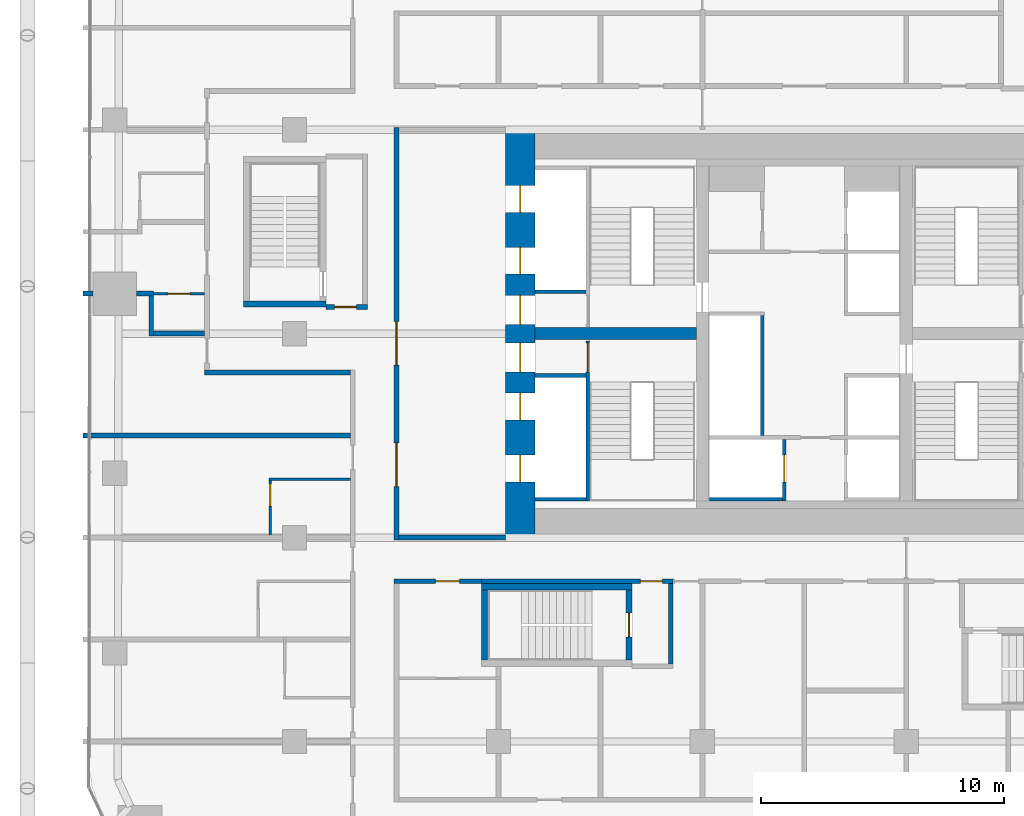
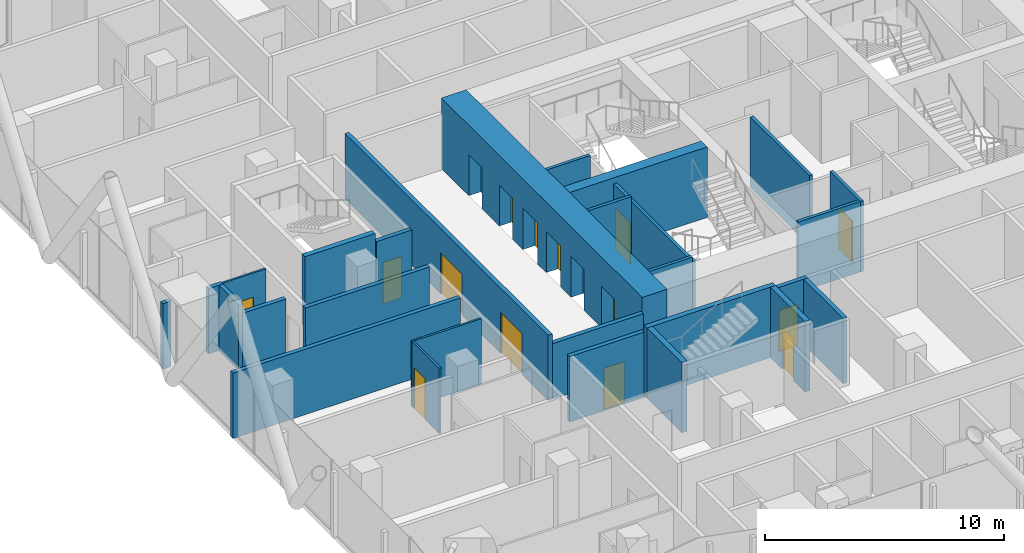
# One storey, part 25 of 35: 28 walls, 16 doors, 16 openings.
"""IFC4 building model written with IfcOpenShell, lengths in metres."""

from ifc_helpers import new_model, si_unit, direction, frame, frame_2d, origin, place, context, subcontext, project, spatial, rectangle, extrude, material, layer, layer_set, type_object, element, fill, save


model = new_model("IFC4")

# Units and contexts
model_context = context("Model", 3, precision=1e-05, world=origin(), true_north=direction((0.0, 1.0)))
body_context = subcontext(model_context, "Body", "Model", "MODEL_VIEW")
ifc_project = project(units=[si_unit("LENGTHUNIT", "METRE"), si_unit("AREAUNIT", "SQUARE_METRE"), si_unit("VOLUMEUNIT", "CUBIC_METRE"), si_unit("PLANEANGLEUNIT", "RADIAN"), si_unit("MASSUNIT", "GRAM", prefix="KILO")], contexts=[model_context])

# Site, building, storey
site_placement = place(None, origin())
site = spatial("IfcSite", under=ifc_project, at=site_placement, CompositionType="ELEMENT")
building_placement = place(site_placement, origin())
building = spatial("IfcBuilding", under=site, at=building_placement, Name="Marenta Gate Hotel Tower", CompositionType="ELEMENT")
storey_placement = place(building_placement, frame((0.0, 0.0, 61.699951171875)))
storey = spatial("IfcBuildingStorey", under=building, at=storey_placement, Name="L13", CompositionType="ELEMENT", Elevation=61.699951171875)

# Wall, openings, doors
ifc_material_1 = material(Name="Concrete blockwork", Category="masonry")
ifc_layer_1 = layer(ifc_material_1, 0.199951171875)
ifc_layer_set_1 = layer_set([ifc_layer_1], Name="Concrete blockwork")
wall_type_1 = type_object("IfcWallType", Name="Core boundary wall 200 REI 180", PredefinedType="PARTITIONING", material=ifc_layer_set_1)
wall_1_placement = place(storey_placement, frame((-16.800048828125, -0.10009765625, 0.0), z_axis=(0.0, 0.0, 1.0), x_axis=(0.0, 1.0, 0.0)))
wall_1 = element("IfcWall", 1, at=wall_1_placement, inside=storey, type_object=wall_type_1, Name="L13-CP-BW-W", PredefinedType="PARTITIONING", context=body_context, shape_type="SweptSolid", body=[
    extrude(rectangle(XDim=17.0, YDim=0.199951171875, at=frame_2d((8.5, 0.0))), origin(), (0.0, 0.0, 1.0), 3.340087890625),
])
opening_1_placement = place(wall_1_placement, frame((2.199951171875, 0.0, 0.0)))
opening_1 = element("IfcOpeningElement", 2, at=opening_1_placement, cuts=wall_1, Name="Opening ED-Wa-B", PredefinedType="OPENING", context=body_context, shape_type="SweptSolid", body=[
    extrude(rectangle(XDim=1.800048828125, YDim=2.10009765625, at=frame_2d((0.89990234375, 1.050048828125))), frame((0.0, 0.10009765625, 0.0), z_axis=(0.0, -1.0, 0.0), x_axis=(1.0, 0.0, 0.0)), (0.0, 0.0, 1.0), 0.199951171875),
])
opening_2_placement = place(wall_1_placement, frame((7.199951171875, 0.0, 0.0)))
opening_2 = element("IfcOpeningElement", 3, at=opening_2_placement, cuts=wall_1, Name="Opening ED-Wb-B", PredefinedType="OPENING", context=body_context, shape_type="SweptSolid", body=[
    extrude(rectangle(XDim=1.800048828125, YDim=2.10009765625, at=frame_2d((0.89990234375, 1.050048828125))), frame((0.0, 0.10009765625, 0.0), z_axis=(0.0, -1.0, 0.0), x_axis=(1.0, 0.0, 0.0)), (0.0, 0.0, 1.0), 0.199951171875),
])
ifc_material_2 = material(Name="Steel", Category="steel")
door_type_1 = type_object("IfcDoorType", Name="Core lobby entrance door 1800x2100 EI 60", OperationType="DOUBLE_DOOR_SINGLE_SWING", PredefinedType="DOOR", material=ifc_material_2)
door_1_placement = place(opening_1_placement, origin())
door_1 = element("IfcDoor", 4, at=door_1_placement, inside=storey, type_object=door_type_1, Name="ED-Wa-B", OperationType="DOUBLE_DOOR_SINGLE_SWING", OverallHeight=2.10009765625, OverallWidth=1.800048828125, PredefinedType="DOOR", context=body_context, shape_type="SweptSolid", body=[
    extrude(rectangle(XDim=1.800048828125, YDim=2.10009765625, at=frame_2d((0.89990234375, 1.050048828125))), frame((0.0, 0.02490234375, 0.0), z_axis=(0.0, -1.0, 0.0), x_axis=(1.0, 0.0, 0.0)), (0.0, 0.0, 1.0), 0.050048828125),
])
fill(opening_1, door_1)
door_2_placement = place(opening_2_placement, origin())
door_2 = element("IfcDoor", 5, at=door_2_placement, inside=storey, type_object=door_type_1, Name="ED-Wb-B", OperationType="DOUBLE_DOOR_SINGLE_SWING", OverallHeight=2.10009765625, OverallWidth=1.800048828125, PredefinedType="DOOR", context=body_context, shape_type="SweptSolid", body=[
    extrude(rectangle(XDim=1.800048828125, YDim=2.10009765625, at=frame_2d((0.89990234375, 1.050048828125))), frame((0.0, 0.02490234375, 0.0), z_axis=(0.0, -1.0, 0.0), x_axis=(1.0, 0.0, 0.0)), (0.0, 0.0, 1.0), 0.050048828125),
])
fill(opening_2, door_2)

# Walls
wall_2_placement = place(storey_placement, frame((-16.699951171875, 0.0, 0.0), z_axis=(0.0, 0.0, 1.0), x_axis=(1.0, 0.0, 0.0)))
element("IfcWall", 6, at=wall_2_placement, inside=storey, type_object=wall_type_1, Name="L13-CP-EW-WS", PredefinedType="PARTITIONING", context=body_context, shape_type="SweptSolid", body=[
    extrude(rectangle(XDim=4.39990234375, YDim=0.199951171875, at=frame_2d((2.199951171875, 0.0))), origin(), (0.0, 0.0, 1.0), 2.840087890625),
])
ifc_material_3 = material(Name="Concrete C40", Category="concrete")
ifc_layer_2 = layer(ifc_material_3, 0.14990234375)
ifc_layer_set_2 = layer_set([ifc_layer_2], Name="Concrete C40")
wall_type_2 = type_object("IfcWallType", Name="Core shaft wall 150 REI 180", PredefinedType="SHEAR", material=ifc_layer_set_2)
for number, where, z_axis, x_axis, name in (
    (7, (-11.10009765625, 6.675048828125, 0.0), (0.0, 0.0, 1.0), (1.0, 0.0, 0.0), "L13-SHF-SW-WS-2"),
    (8, (-11.10009765625, 1.574951171875, 0.0), (0.0, 0.0, 1.0), (1.0, 0.0, 0.0), "L13-SHF-SW-WS-5"),
    (9, (-11.10009765625, 10.125, 0.0), (0.0, 0.0, 1.0), (1.0, 0.0, 0.0), "L13-SHF-SW-WN-2"),
):
    element("IfcWall", number, at=place(storey_placement, frame(where, z_axis=z_axis, x_axis=x_axis)), inside=storey, type_object=wall_type_2, Name=name, PredefinedType="SHEAR", context=body_context, shape_type="SweptSolid", body=[
        extrude(rectangle(XDim=2.10009765625, YDim=0.14990234375, at=frame_2d((1.050048828125, 0.0))), origin(), (0.0, 0.0, 1.0), 3.60009765625),
    ])

# Wall, opening, door
wall_3_placement = place(storey_placement, frame((-0.824951171875, 1.5, 0.0), z_axis=(0.0, 0.0, 1.0), x_axis=(0.0, 1.0, 0.0)))
wall_3 = element("IfcWall", 10, at=wall_3_placement, inside=storey, type_object=wall_type_2, Name="L13-SHF-CW-W-ff", PredefinedType="SHEAR", context=body_context, shape_type="SweptSolid", body=[
    extrude(rectangle(XDim=2.550048828125, YDim=0.14990234375, at=frame_2d((1.27490234375, 0.0))), origin(), (0.0, 0.0, 1.0), 3.60009765625),
])
opening_3_placement = place(wall_3_placement, frame((0.800048828125, 0.0, 0.0)))
opening_3 = element("IfcOpeningElement", 11, at=opening_3_placement, cuts=wall_3, Name="Opening LD-FF1", PredefinedType="OPENING", context=body_context, shape_type="SweptSolid", body=[
    extrude(rectangle(XDim=1.10009765625, YDim=2.10009765625, at=frame_2d((0.550048828125, 1.050048828125))), frame((0.0, 0.074951171875, 0.0), z_axis=(0.0, -1.0, 0.0), x_axis=(1.0, 0.0, 0.0)), (0.0, 0.0, 1.0), 0.14990234375),
])
ifc_material_4 = material(Name="Steel", Category="steel")
door_type_2 = type_object("IfcDoorType", Name="Core lift landing door 1100x2100 E 60", OperationType="SLIDING_TO_LEFT", PredefinedType="DOOR", material=ifc_material_4)
door_3_placement = place(opening_3_placement, origin())
door_3 = element("IfcDoor", 12, at=door_3_placement, inside=storey, type_object=door_type_2, Name="LD-FF1", OperationType="SLIDING_TO_LEFT", OverallHeight=2.10009765625, OverallWidth=1.10009765625, PredefinedType="DOOR", context=body_context, shape_type="SweptSolid", body=[
    extrude(rectangle(XDim=1.10009765625, YDim=2.10009765625, at=frame_2d((0.550048828125, 1.050048828125))), frame((0.0, 0.02490234375, 0.0), z_axis=(0.0, -1.0, 0.0), x_axis=(1.0, 0.0, 0.0)), (0.0, 0.0, 1.0), 0.050048828125),
])
fill(opening_3, door_3)

# Walls
wall_4_placement = place(storey_placement, frame((-3.89990234375, 1.574951171875, 0.0), z_axis=(0.0, 0.0, 1.0), x_axis=(1.0, 0.0, 0.0)))
element("IfcWall", 13, at=wall_4_placement, inside=storey, type_object=wall_type_2, Name="L13-SHF-CW-W-ffs", PredefinedType="SHEAR", context=body_context, shape_type="SweptSolid", body=[
    extrude(rectangle(XDim=3.0, YDim=0.14990234375, at=frame_2d((1.5, 0.0))), origin(), (0.0, 0.0, 1.0), 3.60009765625),
])
wall_5_placement = place(storey_placement, frame((-1.72509765625, 4.199951171875, 0.0), z_axis=(0.0, 0.0, 1.0), x_axis=(0.0, 1.0, 0.0)))
element("IfcWall", 14, at=wall_5_placement, inside=storey, type_object=wall_type_2, Name="L13-SHF-CW-W-front", PredefinedType="SHEAR", context=body_context, shape_type="SweptSolid", body=[
    extrude(rectangle(XDim=4.949951171875, YDim=0.14990234375, at=frame_2d((2.47509765625, 0.0))), origin(), (0.0, 0.0, 1.0), 3.60009765625),
])

# Wall, opening, door
ifc_material_5 = material(Name="Concrete C40", Category="concrete")
ifc_layer_3 = layer(ifc_material_5, 0.14990234375)
ifc_layer_set_3 = layer_set([ifc_layer_3], Name="Concrete C40")
wall_type_3 = type_object("IfcWallType", Name="Core stair enclosure wall 150 REI 180", PredefinedType="SHEAR", material=ifc_layer_set_3)
wall_6_placement = place(storey_placement, frame((-8.925048828125, 1.5, 0.0), z_axis=(0.0, 0.0, 1.0), x_axis=(0.0, 1.0, 0.0)))
wall_6 = element("IfcWall", 15, at=wall_6_placement, inside=storey, type_object=wall_type_3, Name="L13-SHF-SW-WS-3", PredefinedType="SHEAR", context=body_context, shape_type="SweptSolid", body=[
    extrude(rectangle(XDim=6.60009765625, YDim=0.14990234375, at=frame_2d((3.300048828125, 0.0))), origin(), (0.0, 0.0, 1.0), 3.340087890625),
])
opening_4_placement = place(wall_6_placement, frame((5.324951171875, 0.0, 0.0)))
opening_4 = element("IfcOpeningElement", 16, at=opening_4_placement, cuts=wall_6, Name="Opening SD-WS", PredefinedType="OPENING", context=body_context, shape_type="SweptSolid", body=[
    extrude(rectangle(XDim=1.199951171875, YDim=2.10009765625, at=frame_2d((0.60009765625, 1.050048828125))), frame((0.0, 0.074951171875, 0.0), z_axis=(0.0, -1.0, 0.0), x_axis=(1.0, 0.0, 0.0)), (0.0, 0.0, 1.0), 0.14990234375),
])
ifc_material_6 = material(Name="Steel", Category="steel")
door_type_3 = type_object("IfcDoorType", Name="Core stair door 1200x2100 FD60", OperationType="SINGLE_SWING_LEFT", PredefinedType="DOOR", material=ifc_material_6)
door_4_placement = place(opening_4_placement, origin())
door_4 = element("IfcDoor", 17, at=door_4_placement, inside=storey, type_object=door_type_3, Name="SD-WS", OperationType="SINGLE_SWING_LEFT", OverallHeight=2.10009765625, OverallWidth=1.199951171875, PredefinedType="DOOR", context=body_context, shape_type="SweptSolid", body=[
    extrude(rectangle(XDim=1.199951171875, YDim=2.10009765625, at=frame_2d((0.60009765625, 1.050048828125))), frame((0.0, 0.02490234375, 0.0), z_axis=(0.0, -1.0, 0.0), x_axis=(1.0, 0.0, 0.0)), (0.0, 0.0, 1.0), 0.050048828125),
])
fill(opening_4, door_4)

# Wall, openings, doors
ifc_material_7 = material(Name="Concrete C80", Category="concrete")
ifc_layer_4 = layer(ifc_material_7, 1.199951171875)
ifc_layer_set_4 = layer_set([ifc_layer_4], Name="Concrete C80")
wall_type_4 = type_object("IfcWallType", Name="Core wall 1200 C80", PredefinedType="SHEAR", material=ifc_layer_set_4)
wall_7_placement = place(storey_placement, frame((-11.699951171875, 0.0, 0.0), z_axis=(0.0, 0.0, 1.0), x_axis=(0.0, 1.0, 0.0)))
wall_7 = element("IfcWall", 18, at=wall_7_placement, inside=storey, type_object=wall_type_4, Name="L13-CORE-W", PredefinedType="SHEAR", context=body_context, shape_type="SweptSolid", body=[
    extrude(rectangle(XDim=16.800048828125, YDim=1.199951171875, at=frame_2d((8.39990234375, 0.0))), origin(), (0.0, 0.0, 1.0), 3.60009765625),
])
opening_5_placement = place(wall_7_placement, frame((2.300048828125, 0.0, 0.0)))
opening_5 = element("IfcOpeningElement", 19, at=opening_5_placement, cuts=wall_7, Name="Opening LD-LR1", PredefinedType="OPENING", context=body_context, shape_type="SweptSolid", body=[
    extrude(rectangle(XDim=1.10009765625, YDim=2.10009765625, at=frame_2d((0.550048828125, 1.050048828125))), frame((0.0, 0.60009765625, 0.0), z_axis=(0.0, -1.0, 0.0), x_axis=(1.0, 0.0, 0.0)), (0.0, 0.0, 1.0), 1.199951171875),
])
opening_6_placement = place(wall_7_placement, frame((4.85009765625, 0.0, 0.0)))
opening_6 = element("IfcOpeningElement", 20, at=opening_6_placement, cuts=wall_7, Name="Opening LD-LR2", PredefinedType="OPENING", context=body_context, shape_type="SweptSolid", body=[
    extrude(rectangle(XDim=1.10009765625, YDim=2.10009765625, at=frame_2d((0.550048828125, 1.050048828125))), frame((0.0, 0.60009765625, 0.0), z_axis=(0.0, -1.0, 0.0), x_axis=(1.0, 0.0, 0.0)), (0.0, 0.0, 1.0), 1.199951171875),
])
opening_7_placement = place(wall_7_placement, frame((6.824951171875, 0.0, 0.0)))
opening_7 = element("IfcOpeningElement", 21, at=opening_7_placement, cuts=wall_7, Name="Opening PD-WS", PredefinedType="OPENING", context=body_context, shape_type="SweptSolid", body=[
    extrude(rectangle(XDim=1.199951171875, YDim=2.10009765625, at=frame_2d((0.60009765625, 1.050048828125))), frame((0.0, 0.60009765625, 0.0), z_axis=(0.0, -1.0, 0.0), x_axis=(1.0, 0.0, 0.0)), (0.0, 0.0, 1.0), 1.199951171875),
])
opening_8_placement = place(wall_7_placement, frame((13.39990234375, 0.0, 0.0)))
opening_8 = element("IfcOpeningElement", 22, at=opening_8_placement, cuts=wall_7, Name="Opening LD-LR4", PredefinedType="OPENING", context=body_context, shape_type="SweptSolid", body=[
    extrude(rectangle(XDim=1.10009765625, YDim=2.10009765625, at=frame_2d((0.550048828125, 1.050048828125))), frame((0.0, 0.60009765625, 0.0), z_axis=(0.0, -1.0, 0.0), x_axis=(1.0, 0.0, 0.0)), (0.0, 0.0, 1.0), 1.199951171875),
])
opening_9_placement = place(wall_7_placement, frame((10.85009765625, 0.0, 0.0)))
opening_9 = element("IfcOpeningElement", 23, at=opening_9_placement, cuts=wall_7, Name="Opening LD-LR3", PredefinedType="OPENING", context=body_context, shape_type="SweptSolid", body=[
    extrude(rectangle(XDim=1.10009765625, YDim=2.10009765625, at=frame_2d((0.550048828125, 1.050048828125))), frame((0.0, 0.60009765625, 0.0), z_axis=(0.0, -1.0, 0.0), x_axis=(1.0, 0.0, 0.0)), (0.0, 0.0, 1.0), 1.199951171875),
])
opening_10_placement = place(wall_7_placement, frame((8.77490234375, 0.0, 0.0)))
opening_10 = element("IfcOpeningElement", 24, at=opening_10_placement, cuts=wall_7, Name="Opening PD-WN", PredefinedType="OPENING", context=body_context, shape_type="SweptSolid", body=[
    extrude(rectangle(XDim=1.199951171875, YDim=2.10009765625, at=frame_2d((0.60009765625, 1.050048828125))), frame((0.0, 0.60009765625, 0.0), z_axis=(0.0, -1.0, 0.0), x_axis=(1.0, 0.0, 0.0)), (0.0, 0.0, 1.0), 1.199951171875),
])
door_5_placement = place(opening_5_placement, origin())
door_5 = element("IfcDoor", 25, at=door_5_placement, inside=storey, type_object=door_type_2, Name="LD-LR1", OperationType="SLIDING_TO_LEFT", OverallHeight=2.10009765625, OverallWidth=1.10009765625, PredefinedType="DOOR", context=body_context, shape_type="SweptSolid", body=[
    extrude(rectangle(XDim=1.10009765625, YDim=2.10009765625, at=frame_2d((0.550048828125, 1.050048828125))), frame((0.0, 0.02490234375, 0.0), z_axis=(0.0, -1.0, 0.0), x_axis=(1.0, 0.0, 0.0)), (0.0, 0.0, 1.0), 0.050048828125),
])
fill(opening_5, door_5)
door_6_placement = place(opening_6_placement, origin())
door_6 = element("IfcDoor", 26, at=door_6_placement, inside=storey, type_object=door_type_2, Name="LD-LR2", OperationType="SLIDING_TO_LEFT", OverallHeight=2.10009765625, OverallWidth=1.10009765625, PredefinedType="DOOR", context=body_context, shape_type="SweptSolid", body=[
    extrude(rectangle(XDim=1.10009765625, YDim=2.10009765625, at=frame_2d((0.550048828125, 1.050048828125))), frame((0.0, 0.02490234375, 0.0), z_axis=(0.0, -1.0, 0.0), x_axis=(1.0, 0.0, 0.0)), (0.0, 0.0, 1.0), 0.050048828125),
])
fill(opening_6, door_6)
door_7_placement = place(opening_8_placement, origin())
door_7 = element("IfcDoor", 27, at=door_7_placement, inside=storey, type_object=door_type_2, Name="LD-LR4", OperationType="SLIDING_TO_LEFT", OverallHeight=2.10009765625, OverallWidth=1.10009765625, PredefinedType="DOOR", context=body_context, shape_type="SweptSolid", body=[
    extrude(rectangle(XDim=1.10009765625, YDim=2.10009765625, at=frame_2d((0.550048828125, 1.050048828125))), frame((0.0, 0.02490234375, 0.0), z_axis=(0.0, -1.0, 0.0), x_axis=(1.0, 0.0, 0.0)), (0.0, 0.0, 1.0), 0.050048828125),
])
fill(opening_8, door_7)
door_8_placement = place(opening_9_placement, origin())
door_8 = element("IfcDoor", 28, at=door_8_placement, inside=storey, type_object=door_type_2, Name="LD-LR3", OperationType="SLIDING_TO_LEFT", OverallHeight=2.10009765625, OverallWidth=1.10009765625, PredefinedType="DOOR", context=body_context, shape_type="SweptSolid", body=[
    extrude(rectangle(XDim=1.10009765625, YDim=2.10009765625, at=frame_2d((0.550048828125, 1.050048828125))), frame((0.0, 0.02490234375, 0.0), z_axis=(0.0, -1.0, 0.0), x_axis=(1.0, 0.0, 0.0)), (0.0, 0.0, 1.0), 0.050048828125),
])
fill(opening_9, door_8)
ifc_material_8 = material(Name="Steel", Category="steel")
door_type_4 = type_object("IfcDoorType", Name="Core lobby door 1200x2100 FD60", OperationType="SINGLE_SWING_LEFT", PredefinedType="DOOR", material=ifc_material_8)
door_9_placement = place(opening_7_placement, origin())
door_9 = element("IfcDoor", 29, at=door_9_placement, inside=storey, type_object=door_type_4, Name="PD-WS", OperationType="SINGLE_SWING_LEFT", OverallHeight=2.10009765625, OverallWidth=1.199951171875, PredefinedType="DOOR", context=body_context, shape_type="SweptSolid", body=[
    extrude(rectangle(XDim=1.199951171875, YDim=2.10009765625, at=frame_2d((0.60009765625, 1.050048828125))), frame((0.0, 0.02490234375, 0.0), z_axis=(0.0, -1.0, 0.0), x_axis=(1.0, 0.0, 0.0)), (0.0, 0.0, 1.0), 0.050048828125),
])
fill(opening_7, door_9)
door_10_placement = place(opening_10_placement, origin())
door_10 = element("IfcDoor", 30, at=door_10_placement, inside=storey, type_object=door_type_4, Name="PD-WN", OperationType="SINGLE_SWING_LEFT", OverallHeight=2.10009765625, OverallWidth=1.199951171875, PredefinedType="DOOR", context=body_context, shape_type="SweptSolid", body=[
    extrude(rectangle(XDim=1.199951171875, YDim=2.10009765625, at=frame_2d((0.60009765625, 1.050048828125))), frame((0.0, 0.02490234375, 0.0), z_axis=(0.0, -1.0, 0.0), x_axis=(1.0, 0.0, 0.0)), (0.0, 0.0, 1.0), 0.050048828125),
])
fill(opening_10, door_10)

# Walls
ifc_material_9 = material(Name="Concrete C80", Category="concrete")
ifc_layer_5 = layer(ifc_material_9, 0.5)
ifc_layer_set_5 = layer_set([ifc_layer_5], Name="Concrete C80")
wall_type_5 = type_object("IfcWallType", Name="Core web 500 C80", PredefinedType="SHEAR", material=ifc_layer_set_5)
wall_8_placement = place(storey_placement, frame((-11.10009765625, 8.39990234375, 0.0), z_axis=(0.0, 0.0, 1.0), x_axis=(1.0, 0.0, 0.0)))
element("IfcWall", 31, at=wall_8_placement, inside=storey, type_object=wall_type_5, Name="L13-CORE-W3", PredefinedType="SHEAR", context=body_context, shape_type="SweptSolid", body=[
    extrude(rectangle(XDim=6.650146484375, YDim=0.5, at=frame_2d((3.3251953125, 0.0))), origin(), (0.0, 0.0, 1.0), 3.60009765625),
])
ifc_material_10 = material(Name="Concrete C40", Category="concrete")
ifc_layer_6 = layer(ifc_material_10, 0.25)
ifc_layer_set_6 = layer_set([ifc_layer_6], Name="Concrete C40")
wall_type_6 = type_object("IfcWallType", Name="Remote stair enclosure wall 250 REI 180", PredefinedType="SHEAR", material=ifc_layer_set_6)
wall_9_placement = place(storey_placement, frame((-13.300048828125, -2.02490234375, 0.10009765625), z_axis=(0.0, 0.0, 1.0), x_axis=(1.0, 0.0, 0.0)))
element("IfcWall", 32, at=wall_9_placement, inside=storey, type_object=wall_type_6, Name="L13-RS-Z1-2-W2", PredefinedType="SHEAR", context=body_context, shape_type="SweptSolid", body=[
    extrude(rectangle(XDim=6.199951171875, YDim=0.25, at=frame_2d((3.10009765625, 0.0))), origin(), (0.0, 0.0, 1.0), 3.599853515625),
])
wall_10_placement = place(storey_placement, frame((-13.175048828125, -5.050048828125, 0.10009765625), z_axis=(0.0, 0.0, 1.0), x_axis=(0.0, 1.0, 0.0)))
element("IfcWall", 33, at=wall_10_placement, inside=storey, type_object=wall_type_6, Name="L13-RS-Z1-2-W3", PredefinedType="SHEAR", context=body_context, shape_type="SweptSolid", body=[
    extrude(rectangle(XDim=2.900146484375, YDim=0.25, at=frame_2d((1.4501953125, 0.0))), origin(), (0.0, 0.0, 1.0), 3.599853515625),
])

# Wall, opening, door
wall_11_placement = place(storey_placement, frame((-7.22509765625, -5.050048828125, 0.10009765625), z_axis=(0.0, 0.0, 1.0), x_axis=(0.0, 1.0, 0.0)))
wall_11 = element("IfcWall", 34, at=wall_11_placement, inside=storey, type_object=wall_type_6, Name="L13-RS-Z1-2-W4", PredefinedType="SHEAR", context=body_context, shape_type="SweptSolid", body=[
    extrude(rectangle(XDim=2.900146484375, YDim=0.25, at=frame_2d((1.4501953125, 0.0))), origin(), (0.0, 0.0, 1.0), 3.599853515625),
])
opening_11_placement = place(wall_11_placement, frame((0.949951171875, 0.0, 0.0)))
opening_11 = element("IfcOpeningElement", 35, at=opening_11_placement, cuts=wall_11, Name="Opening VD", PredefinedType="OPENING", context=body_context, shape_type="SweptSolid", body=[
    extrude(rectangle(XDim=1.0, YDim=2.10009765625, at=frame_2d((0.5, 1.050048828125))), frame((0.0, 0.125, 0.0), z_axis=(0.0, -1.0, 0.0), x_axis=(1.0, 0.0, 0.0)), (0.0, 0.0, 1.0), 0.25),
])
ifc_material_11 = material(Name="Steel", Category="steel")
door_type_5 = type_object("IfcDoorType", Name="Stair vestibule door 1000x2100 FD60", OperationType="SINGLE_SWING_LEFT", PredefinedType="DOOR", material=ifc_material_11)
door_11_placement = place(opening_11_placement, origin())
door_11 = element("IfcDoor", 36, at=door_11_placement, inside=storey, type_object=door_type_5, Name="VD", OperationType="SINGLE_SWING_LEFT", OverallHeight=2.10009765625, OverallWidth=1.0, PredefinedType="DOOR", context=body_context, shape_type="SweptSolid", body=[
    extrude(rectangle(XDim=1.0, YDim=2.10009765625, at=frame_2d((0.5, 1.050048828125))), frame((0.0, 0.02490234375, 0.0), z_axis=(0.0, -1.0, 0.0), x_axis=(1.0, 0.0, 0.0)), (0.0, 0.0, 1.0), 0.050048828125),
])
fill(opening_11, door_11)

# Wall
wall_12_placement = place(storey_placement, frame((-23.10009765625, 9.625, 0.10009765625), z_axis=(0.0, 0.0, 1.0), x_axis=(1.0, 0.0, 0.0)))
element("IfcWall", 37, at=wall_12_placement, inside=storey, type_object=wall_type_6, Name="L13-RS-Z1-3-W1", PredefinedType="SHEAR", context=body_context, shape_type="SweptSolid", body=[
    extrude(rectangle(XDim=3.400146484375, YDim=0.25, at=frame_2d((1.7001953125, 0.0))), origin(), (0.0, 0.0, 1.0), 3.599853515625),
])

# Wall, opening, door
ifc_material_12 = material(Name="Gypsum board on steel stud", Category="steel")
ifc_layer_7 = layer(ifc_material_12, 0.199951171875)
ifc_layer_set_7 = layer_set([ifc_layer_7], Name="Gypsum board on steel stud")
wall_type_7 = type_object("IfcWallType", Name="Room corridor wall 200 EI 60", PredefinedType="PARTITIONING", material=ifc_layer_set_7)
wall_13_placement = place(storey_placement, frame((-16.89990234375, -1.800048828125, 0.0), z_axis=(0.0, 0.0, 1.0), x_axis=(1.0, 0.0, 0.0)))
wall_13 = element("IfcWall", 38, at=wall_13_placement, inside=storey, type_object=wall_type_7, Name="L13-PTN-W063", PredefinedType="PARTITIONING", context=body_context, shape_type="SweptSolid", body=[
    extrude(rectangle(XDim=3.599853515625, YDim=0.199951171875, at=frame_2d((1.7998046875, 0.0))), origin(), (0.0, 0.0, 1.0), 3.340087890625),
])
opening_12_placement = place(wall_13_placement, frame((1.699951171875, 0.0, 0.0)))
opening_12 = element("IfcOpeningElement", 39, at=opening_12_placement, cuts=wall_13, Name="Opening G04-05", PredefinedType="OPENING", context=body_context, shape_type="SweptSolid", body=[
    extrude(rectangle(XDim=1.0, YDim=2.10009765625, at=frame_2d((0.5, 1.050048828125))), frame((0.0, 0.10009765625, 0.0), z_axis=(0.0, -1.0, 0.0), x_axis=(1.0, 0.0, 0.0)), (0.0, 0.0, 1.0), 0.199951171875),
])
ifc_material_13 = material(Name="Hollow steel door set", Category="steel")
door_type_6 = type_object("IfcDoorType", Name="Room service door 1000x2100 EI 30", OperationType="NOTDEFINED", PredefinedType="DOOR", material=ifc_material_13)
door_12_placement = place(opening_12_placement, origin())
door_12 = element("IfcDoor", 40, at=door_12_placement, inside=storey, type_object=door_type_6, Name="L13-PD-D005", OperationType="SINGLE_SWING_RIGHT", OverallHeight=2.10009765625, OverallWidth=1.0, PredefinedType="DOOR", context=body_context, shape_type="SweptSolid", body=[
    extrude(rectangle(XDim=1.0, YDim=2.10009765625, at=frame_2d((0.5, 1.050048828125))), frame((0.0, 0.02490234375, 0.0), z_axis=(0.0, -1.0, 0.0), x_axis=(1.0, 0.0, 0.0)), (0.0, 0.0, 1.0), 0.050048828125),
])
fill(opening_12, door_12)

# Wall
wall_14_placement = place(storey_placement, frame((-24.699951171875, 6.800048828125, 0.0), z_axis=(0.0, 0.0, 1.0), x_axis=(1.0, 0.0, 0.0)))
element("IfcWall", 41, at=wall_14_placement, inside=storey, type_object=wall_type_7, Name="L13-PTN-W085", PredefinedType="PARTITIONING", context=body_context, shape_type="SweptSolid", body=[
    extrude(rectangle(XDim=6.0, YDim=0.199951171875, at=frame_2d((3.0, 0.0))), origin(), (0.0, 0.0, 1.0), 3.340087890625),
])

# Wall, opening, door
ifc_material_14 = material(Name="Concrete blockwork", Category="masonry")
ifc_layer_8 = layer(ifc_material_14, 0.199951171875)
ifc_layer_set_8 = layer_set([ifc_layer_8], Name="Concrete blockwork")
wall_type_8 = type_object("IfcWallType", Name="Room corridor wall 200 REI 180", PredefinedType="PARTITIONING", material=ifc_layer_set_8)
wall_15_placement = place(storey_placement, frame((-13.300048828125, -1.800048828125, 0.0), z_axis=(0.0, 0.0, 1.0), x_axis=(1.0, 0.0, 0.0)))
wall_15 = element("IfcWall", 42, at=wall_15_placement, inside=storey, type_object=wall_type_8, Name="L13-PTN-W065", PredefinedType="PARTITIONING", context=body_context, shape_type="SweptSolid", body=[
    extrude(rectangle(XDim=7.900146484375, YDim=0.199951171875, at=frame_2d((3.9501953125, 0.0))), origin(), (0.0, 0.0, 1.0), 3.340087890625),
])
opening_13_placement = place(wall_15_placement, frame((6.550048828125, 0.0, 0.0)))
opening_13 = element("IfcOpeningElement", 43, at=opening_13_placement, cuts=wall_15, Name="Opening G04-68", PredefinedType="OPENING", context=body_context, shape_type="SweptSolid", body=[
    extrude(rectangle(XDim=0.89990234375, YDim=2.10009765625, at=frame_2d((0.449951171875, 1.050048828125))), frame((0.0, 0.10009765625, 0.0), z_axis=(0.0, -1.0, 0.0), x_axis=(1.0, 0.0, 0.0)), (0.0, 0.0, 1.0), 0.199951171875),
])
ifc_material_15 = material(Name="Hollow steel door set", Category="steel")
door_type_7 = type_object("IfcDoorType", Name="Stair vestibule door 900x2100 EI 60", OperationType="NOTDEFINED", PredefinedType="DOOR", material=ifc_material_15)
door_13_placement = place(opening_13_placement, origin())
door_13 = element("IfcDoor", 44, at=door_13_placement, inside=storey, type_object=door_type_7, Name="L13-PD-D068", OperationType="SINGLE_SWING_LEFT", OverallHeight=2.10009765625, OverallWidth=0.89990234375, PredefinedType="DOOR", context=body_context, shape_type="SweptSolid", body=[
    extrude(rectangle(XDim=0.89990234375, YDim=2.10009765625, at=frame_2d((0.449951171875, 1.050048828125))), frame((0.0, 0.02490234375, 0.0), z_axis=(0.0, -1.0, 0.0), x_axis=(1.0, 0.0, 0.0)), (0.0, 0.0, 1.0), 0.050048828125),
])
fill(opening_13, door_13)

wall_16_placement = place(storey_placement, frame((-19.699951171875, 9.5, 0.0), z_axis=(0.0, 0.0, 1.0), x_axis=(1.0, 0.0, 0.0)))
wall_16 = element("IfcWall", 45, at=wall_16_placement, inside=storey, type_object=wall_type_8, Name="L13-PTN-W092", PredefinedType="PARTITIONING", context=body_context, shape_type="SweptSolid", body=[
    extrude(rectangle(XDim=1.699951171875, YDim=0.199951171875, at=frame_2d((0.85009765625, 0.0))), origin(), (0.0, 0.0, 1.0), 3.340087890625),
])
opening_14_placement = place(wall_16_placement, frame((0.35009765625, 0.0, 0.0)))
opening_14 = element("IfcOpeningElement", 46, at=opening_14_placement, cuts=wall_16, Name="Opening G04-69", PredefinedType="OPENING", context=body_context, shape_type="SweptSolid", body=[
    extrude(rectangle(XDim=0.89990234375, YDim=2.10009765625, at=frame_2d((0.449951171875, 1.050048828125))), frame((0.0, 0.10009765625, 0.0), z_axis=(0.0, -1.0, 0.0), x_axis=(1.0, 0.0, 0.0)), (0.0, 0.0, 1.0), 0.199951171875),
])
door_14_placement = place(opening_14_placement, origin())
door_14 = element("IfcDoor", 47, at=door_14_placement, inside=storey, type_object=door_type_7, Name="L13-PD-D069", OperationType="SINGLE_SWING_RIGHT", OverallHeight=2.10009765625, OverallWidth=0.89990234375, PredefinedType="DOOR", context=body_context, shape_type="SweptSolid", body=[
    extrude(rectangle(XDim=0.89990234375, YDim=2.10009765625, at=frame_2d((0.449951171875, 1.050048828125))), frame((0.0, 0.02490234375, 0.0), z_axis=(0.0, -1.0, 0.0), x_axis=(1.0, 0.0, 0.0)), (0.0, 0.0, 1.0), 0.050048828125),
])
fill(opening_14, door_14)

# Wall
ifc_material_16 = material(Name="Gypsum board on steel stud", Category="steel")
ifc_layer_9 = layer(ifc_material_16, 0.10009765625)
ifc_layer_set_9 = layer_set([ifc_layer_9], Name="Gypsum board on steel stud")
wall_type_9 = type_object("IfcWallType", Name="Room partition 100", PredefinedType="PARTITIONING", material=ifc_layer_set_9)
wall_17_placement = place(storey_placement, frame((-22.050048828125, 2.39990234375, 0.0), z_axis=(0.0, 0.0, 1.0), x_axis=(1.0, 0.0, 0.0)))
element("IfcWall", 48, at=wall_17_placement, inside=storey, type_object=wall_type_9, Name="L13-PTN-W073", PredefinedType="PARTITIONING", context=body_context, shape_type="SweptSolid", body=[
    extrude(rectangle(XDim=3.35009765625, YDim=0.10009765625, at=frame_2d((1.675048828125, 0.0))), origin(), (0.0, 0.0, 1.0), 3.340087890625),
])

# Wall, opening, door
wall_18_placement = place(storey_placement, frame((-27.0, 10.050048828125, 0.0), z_axis=(0.0, 0.0, 1.0), x_axis=(1.0, 0.0, 0.0)))
wall_18 = element("IfcWall", 49, at=wall_18_placement, inside=storey, type_object=wall_type_9, Name="L13-PTN-W094", PredefinedType="PARTITIONING", context=body_context, shape_type="SweptSolid", body=[
    extrude(rectangle(XDim=2.300048828125, YDim=0.10009765625, at=frame_2d((1.14990234375, 0.0))), origin(), (0.0, 0.0, 1.0), 3.340087890625),
])
opening_15_placement = place(wall_18_placement, frame((0.800048828125, 0.0, 0.0)))
opening_15 = element("IfcOpeningElement", 50, at=opening_15_placement, cuts=wall_18, Name="Opening G04-87", PredefinedType="OPENING", context=body_context, shape_type="SweptSolid", body=[
    extrude(rectangle(XDim=0.89990234375, YDim=2.10009765625, at=frame_2d((0.449951171875, 1.050048828125))), frame((0.0, 0.050048828125, 0.0), z_axis=(0.0, -1.0, 0.0), x_axis=(1.0, 0.0, 0.0)), (0.0, 0.0, 1.0), 0.10009765625),
])
ifc_material_17 = material(Name="Timber door leaf", Category="wood")
door_type_8 = type_object("IfcDoorType", Name="Guest bathroom door 900x2100", OperationType="NOTDEFINED", PredefinedType="DOOR", material=ifc_material_17)
door_15_placement = place(opening_15_placement, origin())
door_15 = element("IfcDoor", 51, at=door_15_placement, inside=storey, type_object=door_type_8, Name="L13-PD-D087", OperationType="SINGLE_SWING_LEFT", OverallHeight=2.10009765625, OverallWidth=0.89990234375, PredefinedType="DOOR", context=body_context, shape_type="SweptSolid", body=[
    extrude(rectangle(XDim=0.89990234375, YDim=2.10009765625, at=frame_2d((0.449951171875, 1.050048828125))), frame((0.0, 0.02490234375, 0.0), z_axis=(0.0, -1.0, 0.0), x_axis=(1.0, 0.0, 0.0)), (0.0, 0.0, 1.0), 0.050048828125),
])
fill(opening_15, door_15)

wall_19_placement = place(storey_placement, frame((-22.0, 0.10009765625, 0.0), z_axis=(0.0, 0.0, 1.0), x_axis=(0.0, 1.0, 0.0)))
wall_19 = element("IfcWall", 52, at=wall_19_placement, inside=storey, type_object=wall_type_9, Name="L13-PTN-W129", PredefinedType="PARTITIONING", context=body_context, shape_type="SweptSolid", body=[
    extrude(rectangle(XDim=2.25, YDim=0.10009765625, at=frame_2d((1.125, 0.0))), origin(), (0.0, 0.0, 1.0), 3.340087890625),
])
opening_16_placement = place(wall_19_placement, frame((1.199951171875, 0.0, 0.0)))
opening_16 = element("IfcOpeningElement", 53, at=opening_16_placement, cuts=wall_19, Name="Opening G04-58", PredefinedType="OPENING", context=body_context, shape_type="SweptSolid", body=[
    extrude(rectangle(XDim=0.89990234375, YDim=2.10009765625, at=frame_2d((0.449951171875, 1.050048828125))), frame((0.0, 0.050048828125, 0.0), z_axis=(0.0, -1.0, 0.0), x_axis=(1.0, 0.0, 0.0)), (0.0, 0.0, 1.0), 0.10009765625),
])
door_16_placement = place(opening_16_placement, origin())
door_16 = element("IfcDoor", 54, at=door_16_placement, inside=storey, type_object=door_type_8, Name="L13-PD-D058", OperationType="SINGLE_SWING_LEFT", OverallHeight=2.10009765625, OverallWidth=0.89990234375, PredefinedType="DOOR", context=body_context, shape_type="SweptSolid", body=[
    extrude(rectangle(XDim=0.89990234375, YDim=2.10009765625, at=frame_2d((0.449951171875, 1.050048828125))), frame((0.0, 0.02490234375, 0.0), z_axis=(0.0, -1.0, 0.0), x_axis=(1.0, 0.0, 0.0)), (0.0, 0.0, 1.0), 0.050048828125),
])
fill(opening_16, door_16)

# Walls
ifc_material_18 = material(Name="Gypsum board on steel stud", Category="steel")
ifc_layer_10 = layer(ifc_material_18, 0.199951171875)
ifc_layer_set_10 = layer_set([ifc_layer_10], Name="Gypsum board on steel stud")
wall_type_10 = type_object("IfcWallType", Name="Room party wall 200 EI 60", PredefinedType="PARTITIONING", material=ifc_layer_set_10)
wall_20_placement = place(storey_placement, frame((-29.699951171875, 4.199951171875, 0.0), z_axis=(0.0, 0.0, 1.0), x_axis=(1.0, 0.0, 0.0)))
element("IfcWall", 55, at=wall_20_placement, inside=storey, type_object=wall_type_10, Name="L13-PTN-W079", PredefinedType="PARTITIONING", context=body_context, shape_type="SweptSolid", body=[
    extrude(rectangle(XDim=11.0, YDim=0.199951171875, at=frame_2d((5.5, 0.0))), origin(), (0.0, 0.0, 1.0), 3.340087890625),
])
wall_21_placement = place(storey_placement, frame((-26.800048828125, 8.39990234375, 0.0), z_axis=(0.0, 0.0, 1.0), x_axis=(1.0, 0.0, 0.0)))
element("IfcWall", 56, at=wall_21_placement, inside=storey, type_object=wall_type_10, Name="L13-PTN-W090", PredefinedType="PARTITIONING", context=body_context, shape_type="SweptSolid", body=[
    extrude(rectangle(XDim=2.10009765625, YDim=0.199951171875, at=frame_2d((1.050048828125, 0.0))), origin(), (0.0, 0.0, 1.0), 2.840087890625),
])
wall_22_placement = place(storey_placement, frame((-29.699951171875, 10.050048828125, 0.0), z_axis=(0.0, 0.0, 1.0), x_axis=(1.0, 0.0, 0.0)))
element("IfcWall", 57, at=wall_22_placement, inside=storey, type_object=wall_type_10, Name="L13-PTN-W093", PredefinedType="PARTITIONING", context=body_context, shape_type="SweptSolid", body=[
    extrude(rectangle(XDim=0.39990234375, YDim=0.199951171875, at=frame_2d((0.199951171875, 0.0))), origin(), (0.0, 0.0, 1.0), 3.340087890625),
])
wall_23_placement = place(storey_placement, frame((-27.5, 10.050048828125, 0.0), z_axis=(0.0, 0.0, 1.0), x_axis=(1.0, 0.0, 0.0)))
element("IfcWall", 58, at=wall_23_placement, inside=storey, type_object=wall_type_10, Name="L13-PTN-W159", PredefinedType="PARTITIONING", context=body_context, shape_type="SweptSolid", body=[
    extrude(rectangle(XDim=0.699951171875, YDim=0.199951171875, at=frame_2d((0.35009765625, 0.0))), origin(), (0.0, 0.0, 1.0), 3.340087890625),
])
wall_24_placement = place(storey_placement, frame((-26.89990234375, 8.300048828125, 0.0), z_axis=(0.0, 0.0, 1.0), x_axis=(0.0, 1.0, 0.0)))
element("IfcWall", 59, at=wall_24_placement, inside=storey, type_object=wall_type_10, Name="L13-PTN-W144", PredefinedType="PARTITIONING", context=body_context, shape_type="SweptSolid", body=[
    extrude(rectangle(XDim=1.699951171875, YDim=0.199951171875, at=frame_2d((0.85009765625, 0.0))), origin(), (0.0, 0.0, 1.0), 3.340087890625),
])
ifc_material_19 = material(Name="Concrete blockwork", Category="masonry")
ifc_layer_11 = layer(ifc_material_19, 0.199951171875)
ifc_layer_set_11 = layer_set([ifc_layer_11], Name="Concrete blockwork")
wall_type_11 = type_object("IfcWallType", Name="Room party wall 200 REI 180", PredefinedType="PARTITIONING", material=ifc_layer_set_11)
wall_25_placement = place(storey_placement, frame((-5.5, -5.199951171875, 0.0), z_axis=(0.0, 0.0, 1.0), x_axis=(0.0, 1.0, 0.0)))
element("IfcWall", 60, at=wall_25_placement, inside=storey, type_object=wall_type_11, Name="L13-PTN-W081", PredefinedType="PARTITIONING", context=body_context, shape_type="SweptSolid", body=[
    extrude(rectangle(XDim=3.300048828125, YDim=0.199951171875, at=frame_2d((1.64990234375, 0.0))), origin(), (0.0, 0.0, 1.0), 3.340087890625),
])

save(model, "model.ifc")
